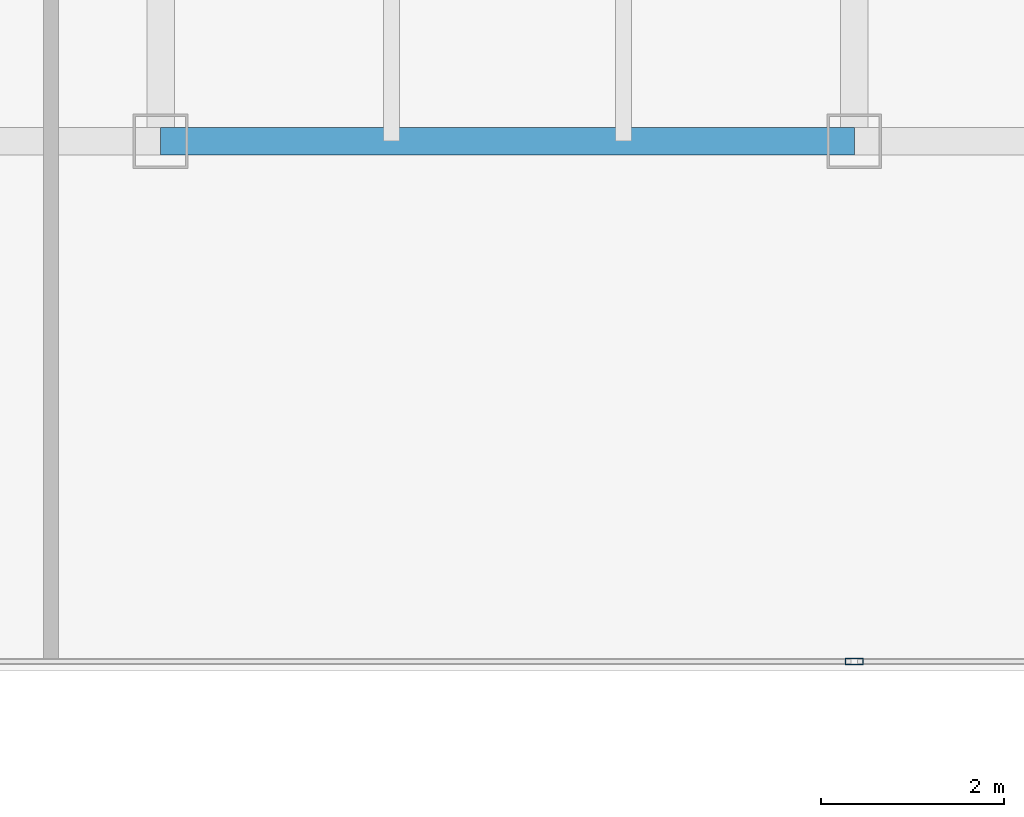
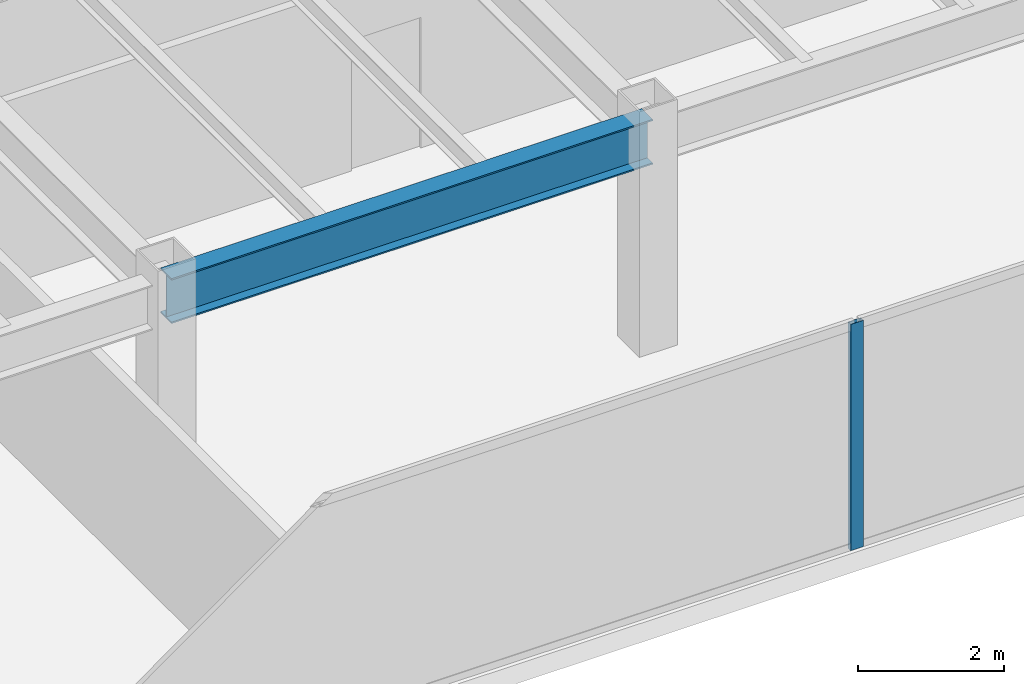
# One storey, part 8 of 36: 1 beam, 1 member, 1 element without a shape of its own.
"""IFC4 building model written with IfcOpenShell, lengths in metres."""

from ifc_helpers import new_model, si_unit, direction, frame, origin, origin_2d, place, context, subcontext, project, spatial, hollow_rectangle, i_section, extrude, source, transform, mapped, material, layer, layer_set, material_profile, profile_set, type_object, type_shapes, element, aggregate, save


model = new_model("IFC4")

# Units and contexts
model_context = context("Model", 3, precision=1e-05, world=origin(), true_north=direction((0.0, 1.0)))
body_context = subcontext(model_context, "Body", "Model", "MODEL_VIEW")
ifc_project = project(units=[si_unit("LENGTHUNIT", "METRE"), si_unit("AREAUNIT", "SQUARE_METRE"), si_unit("VOLUMEUNIT", "CUBIC_METRE"), si_unit("PLANEANGLEUNIT", "RADIAN"), si_unit("MASSUNIT", "GRAM", prefix="KILO")], contexts=[model_context])

# Site, building, storey
site_placement = place(None, origin())
site = spatial("IfcSite", under=ifc_project, at=site_placement, CompositionType="ELEMENT")
building_placement = place(site_placement, origin())
building = spatial("IfcBuilding", under=site, at=building_placement, Name="Haelvirn Gate Laboratories", CompositionType="ELEMENT")
storey_placement = place(building_placement, frame((0.0, 0.0, 29.300048828125)))
storey = spatial("IfcBuildingStorey", under=building, at=storey_placement, Name="L07", CompositionType="ELEMENT", Elevation=29.300048828125)

# Beam
ifc_material_1 = material(Name="Steel SM355", Category="steel")
ifc_material_profile_1 = material_profile(ifc_material_1, i_section(OverallWidth=0.300048828125, OverallDepth=0.75, WebThickness=0.013916015625, FlangeThickness=0.02392578125, at=origin_2d()), Name="H-750x300x14x24")
ifc_profile_set_1 = profile_set([ifc_material_profile_1], Name="Steel SM355")
beam_type = type_object("IfcBeamType", Name="BM-G-750", PredefinedType="BEAM", material=ifc_profile_set_1)
shared_shape_1 = source(origin(), body_context, "Body", "SweptSolid", [
    extrude(i_section(OverallWidth=0.300048828125, OverallDepth=0.75, WebThickness=0.013916015625, FlangeThickness=0.02392578125, at=origin_2d()), origin(), (0.0, 0.0, 1.0), 7.599853515625),
])
type_shapes(beam_type, [shared_shape_1])
beam_placement = place(storey_placement, frame((29.800048828125, 7.0, 3.405029296875), z_axis=(1.0, 0.0, 0.0), x_axis=(0.0, 1.0, 0.0)))
element("IfcBeam", 1, at=beam_placement, inside=storey, type_object=beam_type, Name="L07 Primary Girder Y7.0 (29.8-37.4)", PredefinedType="BEAM", context=body_context, shape_type="MappedRepresentation", body=[
    mapped(shared_shape_1, transform((0.0, 0.0, 0.0), scale=1.0)),
])

# Curtain wall, member
ifc_material_2 = material(Name="Anodised bronze unitised aluminium & triple low-E glass", Category="aluminium")
ifc_layer = layer(ifc_material_2, 0.18408203125, Name="CW-SYS-2")
ifc_layer_set = layer_set([ifc_layer], Name="Anodised bronze unitised aluminium & triple low-E glass")
curtain_wall_type = type_object("IfcCurtainWallType", Name="CW-SYS-2", PredefinedType="NOTDEFINED", material=ifc_layer_set)
curtain_wall_placement = place(storey_placement, origin())
curtain_wall = element("IfcCurtainWall", 2, at=curtain_wall_placement, inside=storey, type_object=curtain_wall_type, Name="L07 Unitised Curtain Wall CW-L07-P0-E02-1", PredefinedType="NOTDEFINED")
ifc_material_3 = material(Name="Extruded aluminium 6063-T6 (anodised bronze)", Category="aluminium")
ifc_material_profile_2 = material_profile(ifc_material_3, hollow_rectangle(XDim=0.074951171875, YDim=0.199951171875, WallThickness=0.0048828125, at=origin_2d()), Name="CWM-200x75x5")
ifc_profile_set_2 = profile_set([ifc_material_profile_2], Name="Extruded aluminium 6063-T6 (anodised bronze)")
member_type = type_object("IfcMemberType", Name="CWM-T200", PredefinedType="MULLION", material=ifc_profile_set_2)
shared_shape_2 = source(origin(), body_context, "Body", "SweptSolid", [
    extrude(hollow_rectangle(XDim=0.074951171875, YDim=0.199951171875, WallThickness=0.0048828125, at=origin_2d()), origin(), (0.0, 0.0, 1.0), 3.780029296875),
])
type_shapes(member_type, [shared_shape_2])
member_placement = place(storey_placement, frame((37.39990234375, 1.300048828125, 0.0), z_axis=(0.0, 0.0, 1.0), x_axis=(0.0, 1.0, 0.0)))
member = element("IfcMember", 3, at=member_placement, type_object=member_type, Name="CW2 mullion 2", PredefinedType="MULLION", context=body_context, shape_type="MappedRepresentation", body=[
    mapped(shared_shape_2, transform((0.0, 0.0, 0.0), scale=1.0)),
])
aggregate(curtain_wall, [member])

save(model, "model.ifc")
